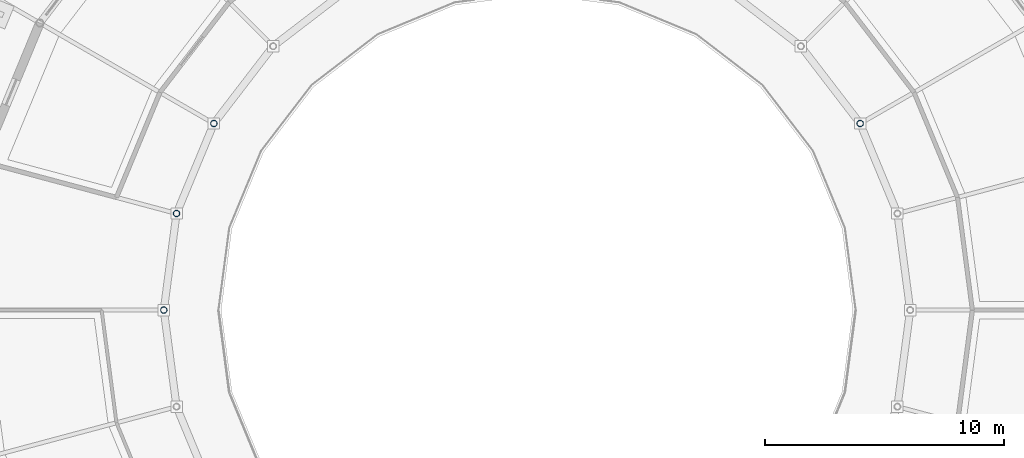
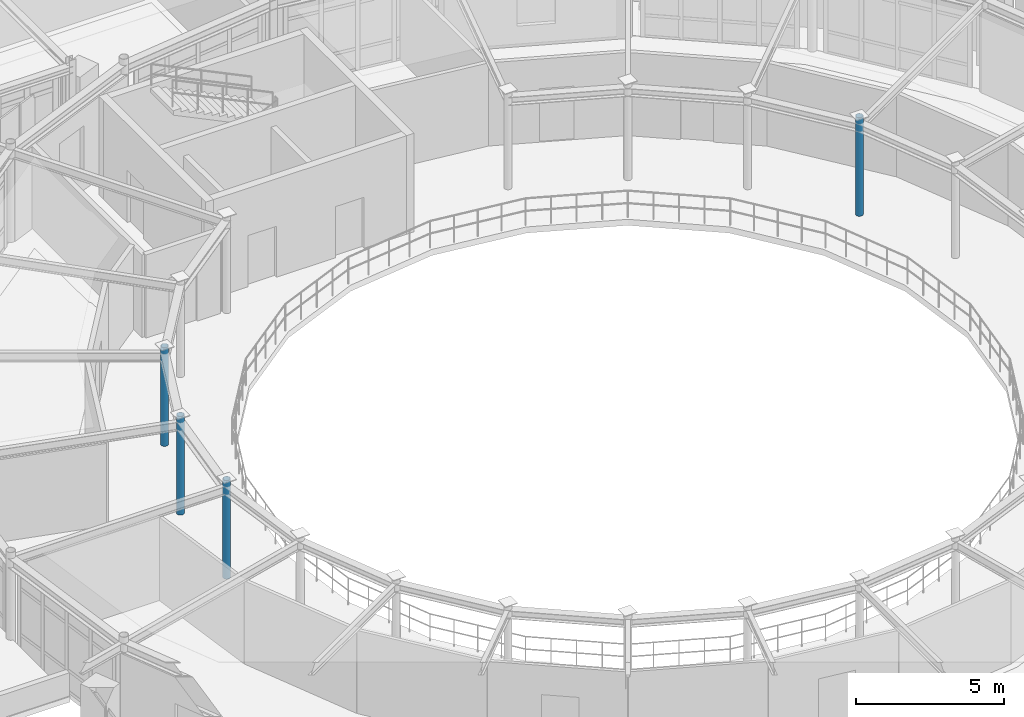
# One storey, part 6 of 70: 4 columns.
"""IFC4 building model written with IfcOpenShell, lengths in metres."""

from ifc_helpers import new_model, si_unit, derived_unit, direction, frame, origin, origin_2d, place, context, subcontext, project, spatial, hollow_circle, extrude, material, material_profile, profile_set, type_object, element, save


model = new_model("IFC4")

# Units and contexts
model_context = context("Model", 3, precision=1e-05, world=origin(), true_north=direction((0.0, 1.0)))
body_context = subcontext(model_context, "Body", "Model", "MODEL_VIEW")
ifc_project = project(units=[si_unit("LENGTHUNIT", "METRE"), si_unit("AREAUNIT", "SQUARE_METRE"), si_unit("VOLUMEUNIT", "CUBIC_METRE"), si_unit("PLANEANGLEUNIT", "RADIAN"), si_unit("MASSUNIT", "GRAM", prefix="KILO"), derived_unit("THERMALTRANSMITTANCEUNIT", [(si_unit("POWERUNIT", "WATT"), 1), (si_unit("AREAUNIT", "SQUARE_METRE"), -1), (si_unit("THERMODYNAMICTEMPERATUREUNIT", "KELVIN"), -1)])], contexts=[model_context])

# Site, building, storey
site_placement = place(None, origin())
site = spatial("IfcSite", under=ifc_project, at=site_placement, CompositionType="ELEMENT")
building_placement = place(site_placement, origin())
building = spatial("IfcBuilding", under=site, at=building_placement, Name="Yasenodar Specialist Clinic", CompositionType="ELEMENT")
storey_placement = place(building_placement, frame((0.0, 0.0, 13.199951171875)))
storey = spatial("IfcBuildingStorey", under=building, at=storey_placement, Name="L03", CompositionType="ELEMENT", Elevation=13.199951171875)

# Columns
ifc_material = material(Name="Steel S355", Category="steel")
ifc_material_profile = material_profile(ifc_material, hollow_circle(Radius=0.136474609375, WallThickness=0.012451171875, at=origin_2d()), Name="CHS 273x12.5")
ifc_profile_set = profile_set([ifc_material_profile], Name="Steel S355")
column_type = type_object("IfcColumnType", Name="COL-ST-CHS273", PredefinedType="COLUMN", material=ifc_profile_set)
for number, where, z_axis, x_axis, name in (
    (1, (94.510009765625, 66.60009765625, 0.0), (0.0, 0.0, 1.0), (1.0, 0.0, 0.0), "L03 Drum V1 Inner Column 03"),
    (2, (67.489990234375, 66.60009765625, 0.0), (0.0, 0.0, 1.0), (1.0, 0.0, 0.0), "L03 Drum V1 Inner Column 11"),
    (3, (65.931640625, 62.837646484375, 0.0), (0.0, 0.0, 1.0), (1.0, 0.0, 0.0), "L03 Drum V1 Inner Column 12"),
    (4, (65.39990234375, 58.800048828125, 0.0), (0.0, 0.0, 1.0), (1.0, 0.0, 0.0), "L03 Drum V1 Inner Column 13"),
):
    element("IfcColumn", number, at=place(storey_placement, frame(where, z_axis=z_axis, x_axis=x_axis)), inside=storey, type_object=column_type, Name=name, PredefinedType="COLUMN", context=body_context, shape_type="SweptSolid", body=[
        extrude(hollow_circle(Radius=0.136474609375, WallThickness=0.012451171875, at=origin_2d()), origin(), (0.0, 0.0, 1.0), 4.050048828125),
    ])

save(model, "model.ifc")
